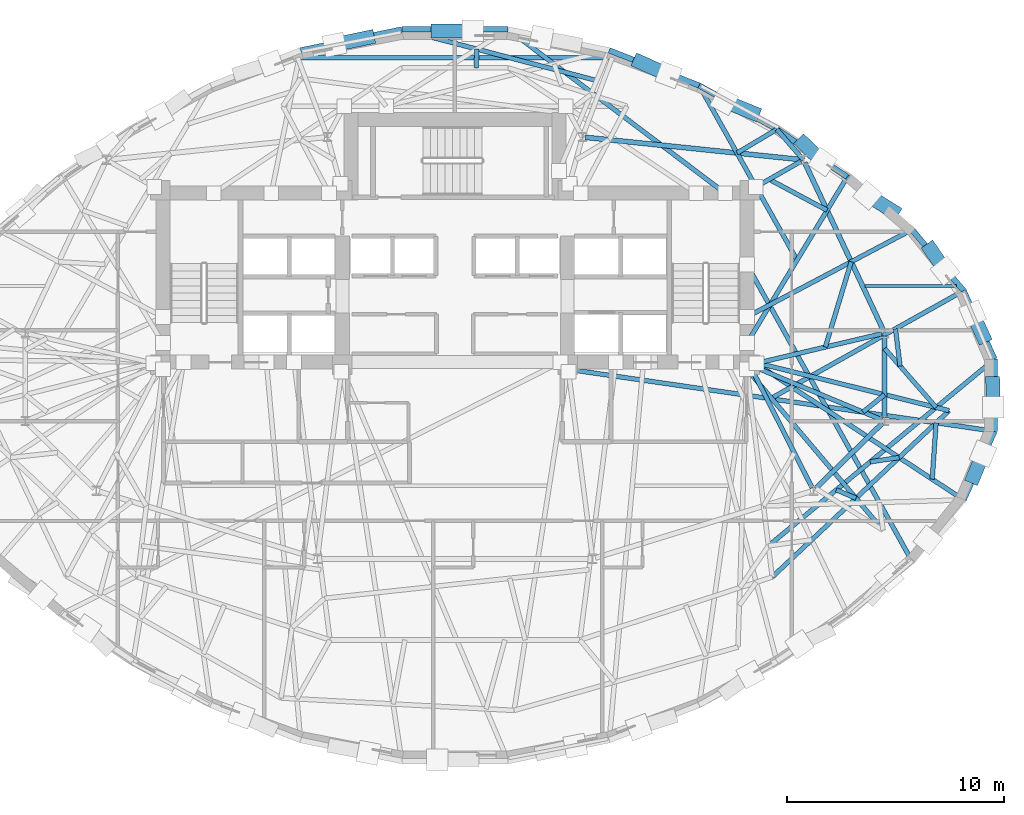
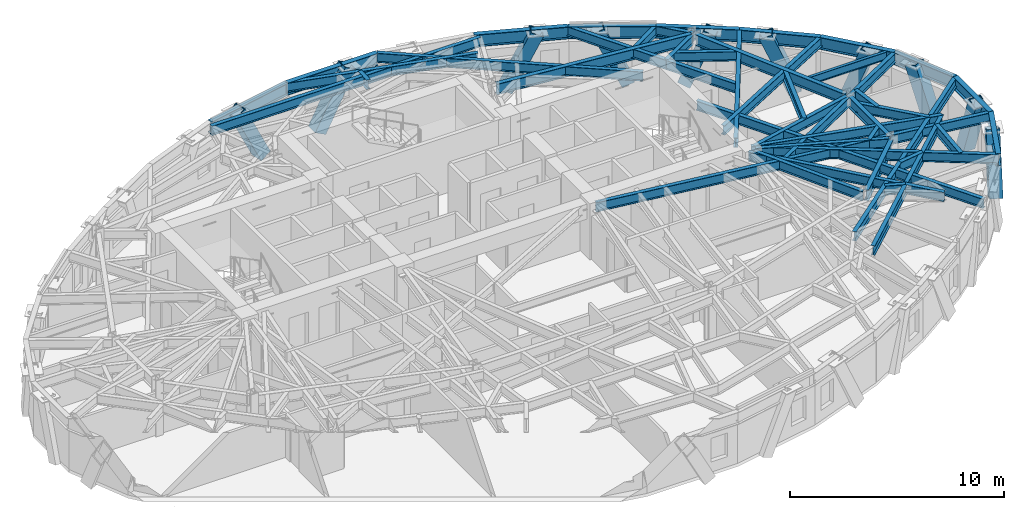
# One storey, part 4 of 14: 44 beams, 10 members.
"""IFC4 building model written with IfcOpenShell, lengths in metres."""

from ifc_helpers import new_model, si_unit, direction, frame, origin, origin_2d, place, context, subcontext, project, spatial, hollow_rectangle, i_section, extrude, material, material_profile, profile_set, type_object, element, save


model = new_model("IFC4")

# Units and contexts
model_context = context("Model", 3, precision=1e-05, world=origin(), true_north=direction((0.0, 1.0)))
body_context = subcontext(model_context, "Body", "Model", "MODEL_VIEW")
ifc_project = project(units=[si_unit("LENGTHUNIT", "METRE"), si_unit("AREAUNIT", "SQUARE_METRE"), si_unit("VOLUMEUNIT", "CUBIC_METRE"), si_unit("PLANEANGLEUNIT", "RADIAN"), si_unit("MASSUNIT", "GRAM", prefix="KILO")], contexts=[model_context])

# Site, building, storey
site_placement = place(None, origin())
site = spatial("IfcSite", under=ifc_project, at=site_placement, CompositionType="ELEMENT")
building_placement = place(site_placement, origin())
building = spatial("IfcBuilding", under=site, at=building_placement, Name="Keldmark Tower", CompositionType="ELEMENT")
storey_placement = place(building_placement, frame((0.0, 0.0, 179.0)))
storey = spatial("IfcBuildingStorey", under=building, at=storey_placement, Name="L49", CompositionType="ELEMENT", Elevation=179.0)

# Beam
ifc_material_1 = material(Name="Steel ASTM A992 Grade 50", Category="steel")
ifc_material_profile_1 = material_profile(ifc_material_1, i_section(OverallWidth=0.153076171875, OverallDepth=0.455078125, WebThickness=0.008056640625, FlangeThickness=0.01318359375, at=origin_2d()), Name="W18X40")
ifc_profile_set_1 = profile_set([ifc_material_profile_1], Name="Steel ASTM A992 Grade 50")
beam_type_1 = type_object("IfcBeamType", Name="Composite Floor Joist W18X40", PredefinedType="JOIST", material=ifc_profile_set_1)
beam_1_placement = place(storey_placement, frame((18.927734375, 5.0400390625, 2.79248046875), z_axis=(1.0, 0.0, 0.0), x_axis=(0.0, 1.0, 0.0)))
element("IfcBeam", 1, at=beam_1_placement, inside=storey, type_object=beam_type_1, Name="L49 Composite Floor Joist J05", PredefinedType="JOIST", context=body_context, shape_type="SweptSolid", body=[
    extrude(i_section(OverallWidth=0.153076171875, OverallDepth=0.455078125, WebThickness=0.008056640625, FlangeThickness=0.01318359375, at=origin_2d()), origin(), (0.0, 0.0, 1.0), 4.207763671875),
])

# Members
ifc_material_2 = material(Name="Steel ASTM A572 Grade 50", Category="steel")
ifc_material_profile_2 = material_profile(ifc_material_2, hollow_rectangle(XDim=0.64990234375, YDim=0.64990234375, WallThickness=0.0400390625, at=origin_2d()), Name="BOX650X650X40")
ifc_profile_set_2 = profile_set([ifc_material_profile_2], Name="Steel ASTM A572 Grade 50")
member_type = type_object("IfcMemberType", Name="Diagrid Zone 3 Brace BOX650X650X40", PredefinedType="BRACE", material=ifc_profile_set_2)
member_1_placement = place(storey_placement, frame((24.37158203125, 2.715087890625, -0.260009765625), z_axis=(-0.143149940841, 0.312492040143, 0.939072318453), x_axis=(-0.909148088369, -0.41647299242, 0.0)))
element("IfcMember", 2, at=member_1_placement, inside=storey, type_object=member_type, Name="L49 Perimeter Diagrid Brace 01A", PredefinedType="BRACE", context=body_context, shape_type="SweptSolid", body=[
    extrude(hollow_rectangle(XDim=0.64990234375, YDim=0.64990234375, WallThickness=0.0400390625, at=origin_2d()), origin(), (0.0, 0.0, 1.0), 3.364990234375),
])
member_2_placement = place(storey_placement, frame((21.949462890625, 6.727294921875, -0.260009765625), z_axis=(0.198464214627, -0.29031900784, 0.936123298075), x_axis=(0.825539243753, 0.564344714713, 0.0)))
element("IfcMember", 3, at=member_2_placement, inside=storey, type_object=member_type, Name="L49 Perimeter Diagrid Brace 01B", PredefinedType="BRACE", context=body_context, shape_type="SweptSolid", body=[
    extrude(hollow_rectangle(XDim=0.64990234375, YDim=0.64990234375, WallThickness=0.0400390625, at=origin_2d()), origin(), (0.0, 0.0, 1.0), 3.37548828125),
])
member_3_placement = place(storey_placement, frame((20.210693359375, 8.498046875, -0.260009765625), z_axis=(-0.339267777896, 0.212608751465, 0.916348674731), x_axis=(-0.531015818922, -0.847361906186, 0.0)))
element("IfcMember", 4, at=member_3_placement, inside=storey, type_object=member_type, Name="L49 Perimeter Diagrid Brace 02A", PredefinedType="BRACE", context=body_context, shape_type="SweptSolid", body=[
    extrude(hollow_rectangle(XDim=0.64990234375, YDim=0.64990234375, WallThickness=0.0400390625, at=origin_2d()), origin(), (0.0, 0.0, 1.0), 3.448486328125),
])
member_4_placement = place(storey_placement, frame((16.072998046875, 11.631103515625, -0.260009765625), z_axis=(0.264379087452, -0.254965208556, 0.9301056072), x_axis=(0.694175398338, 0.719805887961, 0.0)))
element("IfcMember", 5, at=member_4_placement, inside=storey, type_object=member_type, Name="L49 Perimeter Diagrid Brace 02B", PredefinedType="BRACE", context=body_context, shape_type="SweptSolid", body=[
    extrude(hollow_rectangle(XDim=0.64990234375, YDim=0.64990234375, WallThickness=0.0400390625, at=origin_2d()), origin(), (0.0, 0.0, 1.0), 3.3974609375),
])
member_5_placement = place(storey_placement, frame((13.76318359375, 13.027587890625, -0.260009765625), z_axis=(-0.385020429939, 0.156566073719, 0.909530831302), x_axis=(-0.376689941266, -0.926339402243, 0.0)))
element("IfcMember", 6, at=member_5_placement, inside=storey, type_object=member_type, Name="L49 Perimeter Diagrid Brace 03A", PredefinedType="BRACE", context=body_context, shape_type="SweptSolid", body=[
    extrude(hollow_rectangle(XDim=0.64990234375, YDim=0.64990234375, WallThickness=0.0400390625, at=origin_2d()), origin(), (0.0, 0.0, 1.0), 3.47412109375),
])
member_6_placement = place(storey_placement, frame((8.516357421875, 15.385009765625, -0.260009765625), z_axis=(0.384793069564, -0.173696179927, 0.906511958385), x_axis=(0.411426697056, 0.911442852268, 0.0)))
element("IfcMember", 7, at=member_6_placement, inside=storey, type_object=member_type, Name="L49 Perimeter Diagrid Brace 03B", PredefinedType="BRACE", context=body_context, shape_type="SweptSolid", body=[
    extrude(hollow_rectangle(XDim=0.64990234375, YDim=0.64990234375, WallThickness=0.0400390625, at=origin_2d()), origin(), (0.0, 0.0, 1.0), 3.48583984375),
])
member_7_placement = place(storey_placement, frame((-0.82275390625, 16.805419921875, -0.260009765625), z_axis=(0.459383152838, 0.004323444671, 0.888227688554), x_axis=(-0.009410996427, 0.999955715593, 0.0)))
element("IfcMember", 8, at=member_7_placement, inside=storey, type_object=member_type, Name="L49 Perimeter Diagrid Brace 04B", PredefinedType="BRACE", context=body_context, shape_type="SweptSolid", body=[
    extrude(hollow_rectangle(XDim=0.64990234375, YDim=0.64990234375, WallThickness=0.0400390625, at=origin_2d()), origin(), (0.0, 0.0, 1.0), 3.5576171875),
])
member_8_placement = place(storey_placement, frame((-4.0078125, 16.502685546875, -0.260009765625), z_axis=(-0.438744111946, -0.092334468388, 0.893855665183), x_axis=(0.205940614609, -0.978564491107, 0.0)))
element("IfcMember", 9, at=member_8_placement, inside=storey, type_object=member_type, Name="L49 Perimeter Diagrid Brace 05A", PredefinedType="BRACE", context=body_context, shape_type="SweptSolid", body=[
    extrude(hollow_rectangle(XDim=0.64990234375, YDim=0.64990234375, WallThickness=0.0400390625, at=origin_2d()), origin(), (0.0, 0.0, 1.0), 3.53515625),
])
member_9_placement = place(storey_placement, frame((23.92724609375, -3.76318359375, -0.260009765625), z_axis=(0.130967976661, 0.316094551209, 0.939644413481), x_axis=(-0.923840957507, 0.382776547391, 0.0)))
element("IfcMember", 10, at=member_9_placement, inside=storey, type_object=member_type, Name="L49 Perimeter Diagrid Brace 16A", PredefinedType="BRACE", context=body_context, shape_type="SweptSolid", body=[
    extrude(hollow_rectangle(XDim=0.64990234375, YDim=0.64990234375, WallThickness=0.0400390625, at=origin_2d()), origin(), (0.0, 0.0, 1.0), 3.36279296875),
])
member_10_placement = place(storey_placement, frame((24.818359375, 0.5595703125, -0.260009765625), z_axis=(0.006707592929, -0.330859312067, 0.943656252994), x_axis=(0.99979456103, 0.020269083212, 0.0)))
element("IfcMember", 11, at=member_10_placement, inside=storey, type_object=member_type, Name="L49 Perimeter Diagrid Brace 16B", PredefinedType="BRACE", context=body_context, shape_type="SweptSolid", body=[
    extrude(hollow_rectangle(XDim=0.64990234375, YDim=0.64990234375, WallThickness=0.0400390625, at=origin_2d()), origin(), (0.0, 0.0, 1.0), 3.3486328125),
])

# Beams
ifc_material_3 = material(Name="Steel ASTM A992 Grade 50", Category="steel")
ifc_material_profile_3 = material_profile(ifc_material_3, i_section(OverallWidth=0.22900390625, OverallDepth=0.612060546875, WebThickness=0.011962890625, FlangeThickness=0.01953125, at=origin_2d()), Name="W24X84")
ifc_profile_set_3 = profile_set([ifc_material_profile_3], Name="Steel ASTM A992 Grade 50")
beam_type_2 = type_object("IfcBeamType", Name="Primary Floor Girder W24X84", PredefinedType="BEAM", material=ifc_profile_set_3)
beam_2_placement = place(storey_placement, frame((19.76904296875, 2.99609375, 2.714111328125), z_axis=(-0.424526823774, 0.905415360979, 0.0), x_axis=(-0.905415360979, -0.424526823774, 0.0)))
element("IfcBeam", 12, at=beam_2_placement, inside=storey, type_object=beam_type_2, Name="L49 Floor Ring Girder FG-R01", PredefinedType="BEAM", context=body_context, shape_type="SweptSolid", body=[
    extrude(i_section(OverallWidth=0.22900390625, OverallDepth=0.612060546875, WebThickness=0.011962890625, FlangeThickness=0.01953125, at=origin_2d()), origin(), (0.0, 0.0, 1.0), 8.54638671875),
])
beam_3_placement = place(storey_placement, frame((15.942138671875, 10.87548828125, 2.714111328125), z_axis=(-0.994702930931, 0.102791435423, 0.0), x_axis=(-0.102791435423, -0.994702930931, 0.0)))
element("IfcBeam", 13, at=beam_3_placement, inside=storey, type_object=beam_type_2, Name="L49 Floor Ring Girder FG-R02", PredefinedType="BEAM", context=body_context, shape_type="SweptSolid", body=[
    extrude(i_section(OverallWidth=0.22900390625, OverallDepth=0.612060546875, WebThickness=0.011962890625, FlangeThickness=0.01953125, at=origin_2d()), origin(), (0.0, 0.0, 1.0), 9.975341796875),
])
beam_4_placement = place(storey_placement, frame((16.646728515625, -4.300537109375, 2.714111328125), z_axis=(0.714964509815, 0.699160746684, 0.0), x_axis=(-0.699160746684, 0.714964509815, 0.0)))
element("IfcBeam", 14, at=beam_4_placement, inside=storey, type_object=beam_type_2, Name="L49 Floor Ring Girder FG-R11", PredefinedType="BEAM", context=body_context, shape_type="SweptSolid", body=[
    extrude(i_section(OverallWidth=0.22900390625, OverallDepth=0.612060546875, WebThickness=0.011962890625, FlangeThickness=0.01953125, at=origin_2d()), origin(), (0.0, 0.0, 1.0), 4.31005859375),
])
beam_5_placement = place(storey_placement, frame((19.828369140625, -1.04931640625, 2.714111328125), z_axis=(0.0, 1.0, 0.0), x_axis=(-1.0, 0.0, 0.0)))
element("IfcBeam", 15, at=beam_5_placement, inside=storey, type_object=beam_type_2, Name="L49 Floor Ring Girder FG-R12", PredefinedType="BEAM", context=body_context, shape_type="SweptSolid", body=[
    extrude(i_section(OverallWidth=0.22900390625, OverallDepth=0.612060546875, WebThickness=0.011962890625, FlangeThickness=0.01953125, at=origin_2d()), origin(), (0.0, 0.0, 1.0), 3.778564453125),
])
ifc_material_4 = material(Name="Steel ASTM A992 Grade 50", Category="steel")
ifc_material_profile_4 = material_profile(ifc_material_4, i_section(OverallWidth=0.2099609375, OverallDepth=0.537109375, WebThickness=0.010986328125, FlangeThickness=0.017333984375, at=origin_2d()), Name="W21X68")
ifc_profile_set_4 = profile_set([ifc_material_profile_4], Name="Steel ASTM A992 Grade 50")
beam_type_3 = type_object("IfcBeamType", Name="Radial Tie Girder W21X68", PredefinedType="BEAM", material=ifc_profile_set_4)
beam_6_placement = place(storey_placement, frame((19.692138671875, 2.837158203125, 2.75146484375), z_axis=(-0.973280062348, -0.229621253887, 0.0), x_axis=(0.229621253887, -0.973280062348, 0.0)))
element("IfcBeam", 16, at=beam_6_placement, inside=storey, type_object=beam_type_3, Name="L49 Floor Radial Girder FG-C01", PredefinedType="BEAM", context=body_context, shape_type="SweptSolid", body=[
    extrude(i_section(OverallWidth=0.2099609375, OverallDepth=0.537109375, WebThickness=0.010986328125, FlangeThickness=0.017333984375, at=origin_2d()), origin(), (0.0, 0.0, 1.0), 5.939208984375),
])
beam_7_placement = place(storey_placement, frame((15.959716796875, 10.791748046875, 2.75146484375), z_axis=(-0.86929527307, -0.494293160197, 0.0), x_axis=(0.494293160197, -0.86929527307, 0.0)))
element("IfcBeam", 17, at=beam_7_placement, inside=storey, type_object=beam_type_3, Name="L49 Floor Radial Girder FG-C02", PredefinedType="BEAM", context=body_context, shape_type="SweptSolid", body=[
    extrude(i_section(OverallWidth=0.2099609375, OverallDepth=0.537109375, WebThickness=0.010986328125, FlangeThickness=0.017333984375, at=origin_2d()), origin(), (0.0, 0.0, 1.0), 2.39453125),
])
beam_8_placement = place(storey_placement, frame((16.4833984375, -4.273681640625, 2.75146484375), z_axis=(-0.453036691775, 0.891491870914, 0.0), x_axis=(-0.891491870914, -0.453036691775, 0.0)))
element("IfcBeam", 18, at=beam_8_placement, inside=storey, type_object=beam_type_3, Name="L49 Floor Radial Girder FG-C11", PredefinedType="BEAM", context=body_context, shape_type="SweptSolid", body=[
    extrude(i_section(OverallWidth=0.2099609375, OverallDepth=0.537109375, WebThickness=0.010986328125, FlangeThickness=0.017333984375, at=origin_2d()), origin(), (0.0, 0.0, 1.0), 6.044189453125),
])
beam_9_placement = place(storey_placement, frame((19.69921875, -1.135498046875, 2.75146484375), z_axis=(-0.923393794893, 0.383854008124, 0.0), x_axis=(-0.383854008124, -0.923393794893, 0.0)))
element("IfcBeam", 19, at=beam_9_placement, inside=storey, type_object=beam_type_3, Name="L49 Floor Radial Girder FG-C12", PredefinedType="BEAM", context=body_context, shape_type="SweptSolid", body=[
    extrude(i_section(OverallWidth=0.2099609375, OverallDepth=0.537109375, WebThickness=0.010986328125, FlangeThickness=0.017333984375, at=origin_2d()), origin(), (0.0, 0.0, 1.0), 6.28515625),
])
beam_10_placement = place(storey_placement, frame((18.82861328125, -0.773681640625, 2.75146484375), z_axis=(0.779938866508, 0.625855705823, 0.0), x_axis=(-0.625855705823, 0.779938866508, 0.0)))
element("IfcBeam", 20, at=beam_10_placement, inside=storey, type_object=beam_type_3, Name="L49 Framing Pin Header PH-008", PredefinedType="BEAM", context=body_context, shape_type="SweptSolid", body=[
    extrude(i_section(OverallWidth=0.2099609375, OverallDepth=0.537109375, WebThickness=0.010986328125, FlangeThickness=0.017333984375, at=origin_2d()), origin(), (0.0, 0.0, 1.0), 1.28173828125),
])
beam_11_placement = place(storey_placement, frame((13.800048828125, 1.52490234375, 2.75146484375), z_axis=(0.970545350006, -0.240918499875, 0.0), x_axis=(0.240918499875, 0.970545350006, 0.0)))
element("IfcBeam", 21, at=beam_11_placement, inside=storey, type_object=beam_type_3, Name="L49 Sub-Ring Step Girder STP1-M12", PredefinedType="BEAM", context=body_context, shape_type="SweptSolid", body=[
    extrude(i_section(OverallWidth=0.2099609375, OverallDepth=0.537109375, WebThickness=0.010986328125, FlangeThickness=0.017333984375, at=origin_2d()), origin(), (0.0, 0.0, 1.0), 9.2734375),
])
beam_12_placement = place(storey_placement, frame((14.639892578125, -8.388427734375, 2.75146484375), z_axis=(0.728252440847, 0.685308968568, 0.0), x_axis=(-0.685308968568, 0.728252440847, 0.0)))
element("IfcBeam", 22, at=beam_12_placement, inside=storey, type_object=beam_type_3, Name="L49 Perimeter Collector Ring Beam CRG1-M11", PredefinedType="BEAM", context=body_context, shape_type="SweptSolid", body=[
    extrude(i_section(OverallWidth=0.2099609375, OverallDepth=0.537109375, WebThickness=0.010986328125, FlangeThickness=0.017333984375, at=origin_2d()), origin(), (0.0, 0.0, 1.0), 11.20556640625),
])
beam_13_placement = place(storey_placement, frame((19.828369140625, 2.162353515625, 2.75146484375), z_axis=(0.657533549612, -0.753425265793, 0.0), x_axis=(0.753425265793, 0.657533549612, 0.0)))
element("IfcBeam", 23, at=beam_13_placement, inside=storey, type_object=beam_type_3, Name="L49 Framing Pin Header PH-014", PredefinedType="BEAM", context=body_context, shape_type="SweptSolid", body=[
    extrude(i_section(OverallWidth=0.2099609375, OverallDepth=0.537109375, WebThickness=0.010986328125, FlangeThickness=0.017333984375, at=origin_2d()), origin(), (0.0, 0.0, 1.0), 3.615234375),
])
beam_14_placement = place(storey_placement, frame((14.465087890625, -6.9501953125, 2.75146484375), z_axis=(0.771240178773, 0.636544253486, 0.0), x_axis=(-0.636544253486, 0.771240178773, 0.0)))
element("IfcBeam", 24, at=beam_14_placement, inside=storey, type_object=beam_type_3, Name="L49 Perimeter Radial Tie Girder RT-01", PredefinedType="BEAM", context=body_context, shape_type="SweptSolid", body=[
    extrude(i_section(OverallWidth=0.2099609375, OverallDepth=0.537109375, WebThickness=0.010986328125, FlangeThickness=0.017333984375, at=origin_2d()), origin(), (0.0, 0.0, 1.0), 13.530517578125),
])
beam_15_placement = place(storey_placement, frame((20.54150390625, 1.34521484375, 2.75146484375), z_axis=(-0.124450569666, 0.992225808831, 0.0), x_axis=(-0.992225808831, -0.124450569666, 0.0)))
element("IfcBeam", 25, at=beam_15_placement, inside=storey, type_object=beam_type_3, Name="L49 Framing Pin Header PH-015", PredefinedType="BEAM", context=body_context, shape_type="SweptSolid", body=[
    extrude(i_section(OverallWidth=0.2099609375, OverallDepth=0.537109375, WebThickness=0.010986328125, FlangeThickness=0.017333984375, at=origin_2d()), origin(), (0.0, 0.0, 1.0), 1.734130859375),
])
beam_16_placement = place(storey_placement, frame((14.4296875, -0.232421875, 2.75146484375), z_axis=(0.872720040719, 0.48822098534, 0.0), x_axis=(-0.48822098534, 0.872720040719, 0.0)))
element("IfcBeam", 26, at=beam_16_placement, inside=storey, type_object=beam_type_3, Name="L49 Perimeter Radial Tie Girder RT-02", PredefinedType="BEAM", context=body_context, shape_type="SweptSolid", body=[
    extrude(i_section(OverallWidth=0.2099609375, OverallDepth=0.537109375, WebThickness=0.010986328125, FlangeThickness=0.017333984375, at=origin_2d()), origin(), (0.0, 0.0, 1.0), 10.36376953125),
])
beam_17_placement = place(storey_placement, frame((17.0908203125, 2.223388671875, 2.75146484375), z_axis=(0.290455403188, 0.956888529955, 0.0), x_axis=(-0.956888529955, 0.290455403188, 0.0)))
element("IfcBeam", 27, at=beam_17_placement, inside=storey, type_object=beam_type_3, Name="L49 Framing Pin Header PH-016", PredefinedType="BEAM", context=body_context, shape_type="SweptSolid", body=[
    extrude(i_section(OverallWidth=0.2099609375, OverallDepth=0.537109375, WebThickness=0.010986328125, FlangeThickness=0.017333984375, at=origin_2d()), origin(), (0.0, 0.0, 1.0), 4.113525390625),
])
beam_18_placement = place(storey_placement, frame((13.47509765625, 3.6142578125, 2.75146484375), z_axis=(0.88389829795, 0.467679162334, 0.0), x_axis=(-0.467679162334, 0.88389829795, 0.0)))
element("IfcBeam", 28, at=beam_18_placement, inside=storey, type_object=beam_type_3, Name="L49 Perimeter Radial Tie Girder RT-03", PredefinedType="BEAM", context=body_context, shape_type="SweptSolid", body=[
    extrude(i_section(OverallWidth=0.2099609375, OverallDepth=0.537109375, WebThickness=0.010986328125, FlangeThickness=0.017333984375, at=origin_2d()), origin(), (0.0, 0.0, 1.0), 8.606201171875),
])
beam_19_placement = place(storey_placement, frame((14.502685546875, 9.96337890625, 2.75146484375), z_axis=(0.881566239069, -0.472060341623, 0.0), x_axis=(0.472060341623, 0.881566239069, 0.0)))
element("IfcBeam", 29, at=beam_19_placement, inside=storey, type_object=beam_type_3, Name="L49 Framing Pin Header PH-017", PredefinedType="BEAM", context=body_context, shape_type="SweptSolid", body=[
    extrude(i_section(OverallWidth=0.2099609375, OverallDepth=0.537109375, WebThickness=0.010986328125, FlangeThickness=0.017333984375, at=origin_2d()), origin(), (0.0, 0.0, 1.0), 3.028564453125),
])
beam_20_placement = place(storey_placement, frame((13.47509765625, 2.406982421875, 2.75146484375), z_axis=(0.516708408256, 0.856161445545, 0.0), x_axis=(-0.856161445545, 0.516708408256, 0.0)))
element("IfcBeam", 30, at=beam_20_placement, inside=storey, type_object=beam_type_3, Name="L49 Perimeter Radial Tie Girder RT-04", PredefinedType="BEAM", context=body_context, shape_type="SweptSolid", body=[
    extrude(i_section(OverallWidth=0.2099609375, OverallDepth=0.537109375, WebThickness=0.010986328125, FlangeThickness=0.017333984375, at=origin_2d()), origin(), (0.0, 0.0, 1.0), 8.949951171875),
])
beam_21_placement = place(storey_placement, frame((16.08154296875, 10.861083984375, 2.75146484375), z_axis=(-0.656902958664, 0.753975134138, 0.0), x_axis=(-0.753975134138, -0.656902958664, 0.0)))
element("IfcBeam", 31, at=beam_21_placement, inside=storey, type_object=beam_type_3, Name="L49 Perimeter Column Bracket RT-05", PredefinedType="BEAM", context=body_context, shape_type="SweptSolid", body=[
    extrude(i_section(OverallWidth=0.2099609375, OverallDepth=0.537109375, WebThickness=0.010986328125, FlangeThickness=0.017333984375, at=origin_2d()), origin(), (0.0, 0.0, 1.0), 1.86865234375),
])
beam_22_placement = place(storey_placement, frame((14.85400390625, 12.27001953125, 2.75146484375), z_axis=(-0.859671421183, -0.510847381906, 0.0), x_axis=(0.510847381906, -0.859671421183, 0.0)))
element("IfcBeam", 32, at=beam_22_placement, inside=storey, type_object=beam_type_3, Name="L49 Framing Pin Header PH-018", PredefinedType="BEAM", context=body_context, shape_type="SweptSolid", body=[
    extrude(i_section(OverallWidth=0.2099609375, OverallDepth=0.537109375, WebThickness=0.010986328125, FlangeThickness=0.017333984375, at=origin_2d()), origin(), (0.0, 0.0, 1.0), 2.13818359375),
])
beam_23_placement = place(storey_placement, frame((15.787353515625, 6.23828125, 2.75146484375), z_axis=(-0.489322089333, 0.872103143493, 0.0), x_axis=(-0.872103143493, -0.489322089333, 0.0)))
element("IfcBeam", 33, at=beam_23_placement, inside=storey, type_object=beam_type_3, Name="L49 Perimeter Radial Tie Girder RT-06", PredefinedType="BEAM", context=body_context, shape_type="SweptSolid", body=[
    extrude(i_section(OverallWidth=0.2099609375, OverallDepth=0.537109375, WebThickness=0.010986328125, FlangeThickness=0.017333984375, at=origin_2d()), origin(), (0.0, 0.0, 1.0), 9.23486328125),
])
beam_24_placement = place(storey_placement, frame((17.595703125, -4.366455078125, 2.75146484375), z_axis=(0.921216097365, -0.389051284479, 0.0), x_axis=(0.389051284479, 0.921216097365, 0.0)))
element("IfcBeam", 34, at=beam_24_placement, inside=storey, type_object=beam_type_3, Name="L49 Framing Pin Header PH-040", PredefinedType="BEAM", context=body_context, shape_type="SweptSolid", body=[
    extrude(i_section(OverallWidth=0.2099609375, OverallDepth=0.537109375, WebThickness=0.010986328125, FlangeThickness=0.017333984375, at=origin_2d()), origin(), (0.0, 0.0, 1.0), 0.98779296875),
])
beam_25_placement = place(storey_placement, frame((13.47509765625, 1.199951171875, 2.75146484375), z_axis=(0.645578832653, -0.763693636762, 0.0), x_axis=(0.763693636762, 0.645578832653, 0.0)))
element("IfcBeam", 35, at=beam_25_placement, inside=storey, type_object=beam_type_3, Name="L49 Intermediate Radial Step Girder RT-30M", PredefinedType="BEAM", context=body_context, shape_type="SweptSolid", body=[
    extrude(i_section(OverallWidth=0.2099609375, OverallDepth=0.537109375, WebThickness=0.010986328125, FlangeThickness=0.017333984375, at=origin_2d()), origin(), (0.0, 0.0, 1.0), 9.729248046875),
])
beam_26_placement = place(storey_placement, frame((19.160888671875, -3.074462890625, 2.75146484375), z_axis=(0.989005032909, 0.14788186123, 0.0), x_axis=(-0.14788186123, 0.989005032909, 0.0)))
element("IfcBeam", 36, at=beam_26_placement, inside=storey, type_object=beam_type_3, Name="L49 Framing Pin Header PH-041", PredefinedType="BEAM", context=body_context, shape_type="SweptSolid", body=[
    extrude(i_section(OverallWidth=0.2099609375, OverallDepth=0.537109375, WebThickness=0.010986328125, FlangeThickness=0.017333984375, at=origin_2d()), origin(), (0.0, 0.0, 1.0), 1.353759765625),
])
beam_27_placement = place(storey_placement, frame((13.800048828125, 1.52490234375, 2.75146484375), z_axis=(0.83590818194, -0.548869302627, 0.0), x_axis=(0.548869302627, 0.83590818194, 0.0)))
element("IfcBeam", 37, at=beam_27_placement, inside=storey, type_object=beam_type_3, Name="L49 Perimeter Radial Tie Girder RT-31", PredefinedType="BEAM", context=body_context, shape_type="SweptSolid", body=[
    extrude(i_section(OverallWidth=0.2099609375, OverallDepth=0.537109375, WebThickness=0.010986328125, FlangeThickness=0.017333984375, at=origin_2d()), origin(), (0.0, 0.0, 1.0), 11.573486328125),
])
beam_28_placement = place(storey_placement, frame((22.023193359375, -3.87451171875, 2.75146484375), z_axis=(0.069219416799, 0.997601459671, 0.0), x_axis=(-0.997601459671, 0.069219416799, 0.0)))
element("IfcBeam", 38, at=beam_28_placement, inside=storey, type_object=beam_type_3, Name="L49 Framing Pin Header PH-042", PredefinedType="BEAM", context=body_context, shape_type="SweptSolid", body=[
    extrude(i_section(OverallWidth=0.2099609375, OverallDepth=0.537109375, WebThickness=0.010986328125, FlangeThickness=0.017333984375, at=origin_2d()), origin(), (0.0, 0.0, 1.0), 2.610107421875),
])
beam_29_placement = place(storey_placement, frame((5.199951171875, 1.199951171875, 2.75146484375), z_axis=(0.989607676861, -0.143793761679, 0.0), x_axis=(0.143793761679, 0.989607676861, 0.0)))
element("IfcBeam", 39, at=beam_29_placement, inside=storey, type_object=beam_type_3, Name="L49 Perimeter Radial Tie Girder RT-32", PredefinedType="BEAM", context=body_context, shape_type="SweptSolid", body=[
    extrude(i_section(OverallWidth=0.2099609375, OverallDepth=0.537109375, WebThickness=0.010986328125, FlangeThickness=0.017333984375, at=origin_2d()), origin(), (0.0, 0.0, 1.0), 19.9072265625),
])
beam_30_placement = place(storey_placement, frame((-7.260986328125, 15.583984375, 2.75146484375), z_axis=(1.0, 0.0, 0.0), x_axis=(0.0, 1.0, 0.0)))
element("IfcBeam", 40, at=beam_30_placement, inside=storey, type_object=beam_type_3, Name="L49 North Outer Header Girder FG-TCN-H1", PredefinedType="BEAM", context=body_context, shape_type="SweptSolid", body=[
    extrude(i_section(OverallWidth=0.2099609375, OverallDepth=0.537109375, WebThickness=0.010986328125, FlangeThickness=0.017333984375, at=origin_2d()), origin(), (0.0, 0.0, 1.0), 14.52197265625),
])
beam_31_placement = place(storey_placement, frame((12.468017578125, 9.324951171875, 2.75146484375), z_axis=(-0.798315539286, 0.602239404003, 0.0), x_axis=(-0.602239404003, -0.798315539286, 0.0)))
element("IfcBeam", 41, at=beam_31_placement, inside=storey, type_object=beam_type_3, Name="L49 Perimeter Radial Tie Girder RT-08R", PredefinedType="BEAM", context=body_context, shape_type="SweptSolid", body=[
    extrude(i_section(OverallWidth=0.2099609375, OverallDepth=0.537109375, WebThickness=0.010986328125, FlangeThickness=0.017333984375, at=origin_2d()), origin(), (0.0, 0.0, 1.0), 12.5458984375),
])
beam_32_placement = place(storey_placement, frame((0.98095703125, 15.10986328125, 2.75146484375), z_axis=(0.033644308495, 0.999433870001, 0.0), x_axis=(-0.999433870001, 0.033644308495, 0.0)))
element("IfcBeam", 42, at=beam_32_placement, inside=storey, type_object=beam_type_3, Name="L49 Framing Pin Header PH-045", PredefinedType="BEAM", context=body_context, shape_type="SweptSolid", body=[
    extrude(i_section(OverallWidth=0.2099609375, OverallDepth=0.537109375, WebThickness=0.010986328125, FlangeThickness=0.017333984375, at=origin_2d()), origin(), (0.0, 0.0, 1.0), 0.863525390625),
])
beam_33_placement = place(storey_placement, frame((6.540771484375, 14.522705078125, 2.75146484375), z_axis=(-0.967304763516, 0.253616826095, 0.0), x_axis=(-0.253616826095, -0.967304763516, 0.0)))
element("IfcBeam", 43, at=beam_33_placement, inside=storey, type_object=beam_type_3, Name="L49 Perimeter Radial Tie Girder RT-09R", PredefinedType="BEAM", context=body_context, shape_type="SweptSolid", body=[
    extrude(i_section(OverallWidth=0.2099609375, OverallDepth=0.537109375, WebThickness=0.010986328125, FlangeThickness=0.017333984375, at=origin_2d()), origin(), (0.0, 0.0, 1.0), 9.297119140625),
])
beam_34_placement = place(storey_placement, frame((13.47509765625, 6.028564453125, 2.75146484375), z_axis=(0.486314668793, -0.873783750659, 0.0), x_axis=(0.873783750659, 0.486314668793, 0.0)))
element("IfcBeam", 44, at=beam_34_placement, inside=storey, type_object=beam_type_3, Name="L49 Perimeter Radial Tie Girder RT-30R", PredefinedType="BEAM", context=body_context, shape_type="SweptSolid", body=[
    extrude(i_section(OverallWidth=0.2099609375, OverallDepth=0.537109375, WebThickness=0.010986328125, FlangeThickness=0.017333984375, at=origin_2d()), origin(), (0.0, 0.0, 1.0), 15.64208984375),
])
ifc_material_5 = material(Name="Steel ASTM A992 Grade 50", Category="steel")
ifc_material_profile_5 = material_profile(ifc_material_5, i_section(OverallWidth=0.256103515625, OverallDepth=0.693115234375, WebThickness=0.014404296875, FlangeThickness=0.023681640625, at=origin_2d()), Name="W27X114")
ifc_profile_set_5 = profile_set([ifc_material_profile_5], Name="Steel ASTM A992 Grade 50")
beam_type_4 = type_object("IfcBeamType", Name="Spandrel Ring Beam W27X114", PredefinedType="SPANDREL", material=ifc_profile_set_5)
beam_35_placement = place(storey_placement, frame((24.900390625, 1.66259765625, 2.673583984375), z_axis=(-0.410812065386, 0.911720048553, 0.0), x_axis=(-0.911720048553, -0.410812065386, 0.0)))
element("IfcBeam", 45, at=beam_35_placement, inside=storey, type_object=beam_type_4, Name="L49 Perimeter Spandrel Ring Beam SRB-01", PredefinedType="SPANDREL", context=body_context, shape_type="SweptSolid", body=[
    extrude(i_section(OverallWidth=0.256103515625, OverallDepth=0.693115234375, WebThickness=0.014404296875, FlangeThickness=0.023681640625, at=origin_2d()), origin(), (0.0, 0.0, 1.0), 3.47119140625),
])
beam_36_placement = place(storey_placement, frame((23.474365234375, 4.827392578125, 2.673583984375), z_axis=(-0.648014991522, 0.761627580096, 0.0), x_axis=(-0.761627580096, -0.648014991522, 0.0)))
element("IfcBeam", 46, at=beam_36_placement, inside=storey, type_object=beam_type_4, Name="L49 Perimeter Spandrel Ring Beam SRB-02", PredefinedType="SPANDREL", context=body_context, shape_type="SweptSolid", body=[
    extrude(i_section(OverallWidth=0.256103515625, OverallDepth=0.693115234375, WebThickness=0.014404296875, FlangeThickness=0.023681640625, at=origin_2d()), origin(), (0.0, 0.0, 1.0), 3.69189453125),
])
beam_37_placement = place(storey_placement, frame((21.08203125, 7.63916015625, 2.673583984375), z_axis=(-0.775197003773, 0.631719562259, 0.0), x_axis=(-0.631719562259, -0.775197003773, 0.0)))
element("IfcBeam", 47, at=beam_37_placement, inside=storey, type_object=beam_type_4, Name="L49 Perimeter Spandrel Ring Beam SRB-03", PredefinedType="SPANDREL", context=body_context, shape_type="SweptSolid", body=[
    extrude(i_section(OverallWidth=0.256103515625, OverallDepth=0.693115234375, WebThickness=0.014404296875, FlangeThickness=0.023681640625, at=origin_2d()), origin(), (0.0, 0.0, 1.0), 3.847412109375),
])
beam_38_placement = place(storey_placement, frame((18.099609375, 10.069580078125, 2.673583984375), z_axis=(-0.827705067126, 0.561163364676, 0.0), x_axis=(-0.561163364676, -0.827705067126, 0.0)))
element("IfcBeam", 48, at=beam_38_placement, inside=storey, type_object=beam_type_4, Name="L49 Perimeter Spandrel Ring Beam SRB-04", PredefinedType="SPANDREL", context=body_context, shape_type="SweptSolid", body=[
    extrude(i_section(OverallWidth=0.256103515625, OverallDepth=0.693115234375, WebThickness=0.014404296875, FlangeThickness=0.023681640625, at=origin_2d()), origin(), (0.0, 0.0, 1.0), 3.921142578125),
])
beam_39_placement = place(storey_placement, frame((14.85400390625, 12.27001953125, 2.673583984375), z_axis=(-0.871039635509, 0.491212737388, 0.0), x_axis=(-0.491212737388, -0.871039635509, 0.0)))
element("IfcBeam", 49, at=beam_39_placement, inside=storey, type_object=beam_type_4, Name="L49 Perimeter Spandrel Ring Beam SRB-05", PredefinedType="SPANDREL", context=body_context, shape_type="SweptSolid", body=[
    extrude(i_section(OverallWidth=0.256103515625, OverallDepth=0.693115234375, WebThickness=0.014404296875, FlangeThickness=0.023681640625, at=origin_2d()), origin(), (0.0, 0.0, 1.0), 4.1162109375),
])
beam_40_placement = place(storey_placement, frame((11.2685546875, 14.2919921875, 2.673583984375), z_axis=(-0.93133333838, 0.364167836062, 0.0), x_axis=(-0.364167836062, -0.93133333838, 0.0)))
element("IfcBeam", 50, at=beam_40_placement, inside=storey, type_object=beam_type_4, Name="L49 Perimeter Spandrel Ring Beam SRB-06", PredefinedType="SPANDREL", context=body_context, shape_type="SweptSolid", body=[
    extrude(i_section(OverallWidth=0.256103515625, OverallDepth=0.693115234375, WebThickness=0.014404296875, FlangeThickness=0.023681640625, at=origin_2d()), origin(), (0.0, 0.0, 1.0), 4.45361328125),
])
beam_41_placement = place(storey_placement, frame((2.452392578125, 16.880615234375, 2.673583984375), z_axis=(-1.0, 0.0, 0.0), x_axis=(0.0, -1.0, 0.0)))
element("IfcBeam", 51, at=beam_41_placement, inside=storey, type_object=beam_type_4, Name="L49 Perimeter Spandrel Ring Beam SRB-08", PredefinedType="SPANDREL", context=body_context, shape_type="SweptSolid", body=[
    extrude(i_section(OverallWidth=0.256103515625, OverallDepth=0.693115234375, WebThickness=0.014404296875, FlangeThickness=0.023681640625, at=origin_2d()), origin(), (0.0, 0.0, 1.0), 4.90478515625),
])
beam_42_placement = place(storey_placement, frame((-2.452392578125, 16.880615234375, 2.673583984375), z_axis=(-0.979222564836, -0.202788482206, 0.0), x_axis=(0.202788482206, -0.979222564836, 0.0)))
element("IfcBeam", 52, at=beam_42_placement, inside=storey, type_object=beam_type_4, Name="L49 Perimeter Spandrel Ring Beam SRB-09", PredefinedType="SPANDREL", context=body_context, shape_type="SweptSolid", body=[
    extrude(i_section(OverallWidth=0.256103515625, OverallDepth=0.693115234375, WebThickness=0.014404296875, FlangeThickness=0.023681640625, at=origin_2d()), origin(), (0.0, 0.0, 1.0), 4.767578125),
])
beam_43_placement = place(storey_placement, frame((23.474365234375, -4.827392578125, 2.673583984375), z_axis=(0.410812065386, 0.911720048553, 0.0), x_axis=(-0.911720048553, 0.410812065386, 0.0)))
element("IfcBeam", 53, at=beam_43_placement, inside=storey, type_object=beam_type_4, Name="L49 Perimeter Spandrel Ring Beam SRB-31", PredefinedType="SPANDREL", context=body_context, shape_type="SweptSolid", body=[
    extrude(i_section(OverallWidth=0.256103515625, OverallDepth=0.693115234375, WebThickness=0.014404296875, FlangeThickness=0.023681640625, at=origin_2d()), origin(), (0.0, 0.0, 1.0), 3.47119140625),
])
beam_44_placement = place(storey_placement, frame((24.900390625, -1.66259765625, 2.673583984375), z_axis=(0.0, 1.0, 0.0), x_axis=(-1.0, 0.0, 0.0)))
element("IfcBeam", 54, at=beam_44_placement, inside=storey, type_object=beam_type_4, Name="L49 Perimeter Spandrel Ring Beam SRB-32", PredefinedType="SPANDREL", context=body_context, shape_type="SweptSolid", body=[
    extrude(i_section(OverallWidth=0.256103515625, OverallDepth=0.693115234375, WebThickness=0.014404296875, FlangeThickness=0.023681640625, at=origin_2d()), origin(), (0.0, 0.0, 1.0), 3.3251953125),
])

save(model, "model.ifc")
